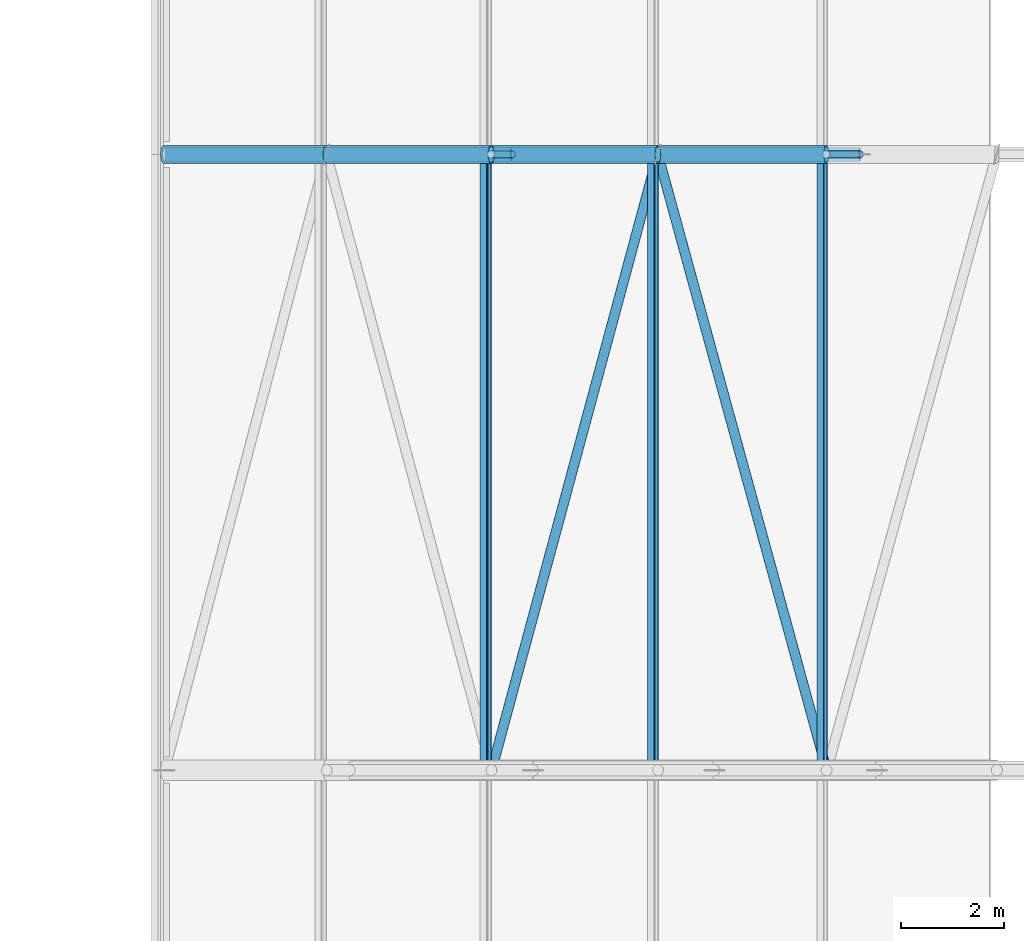
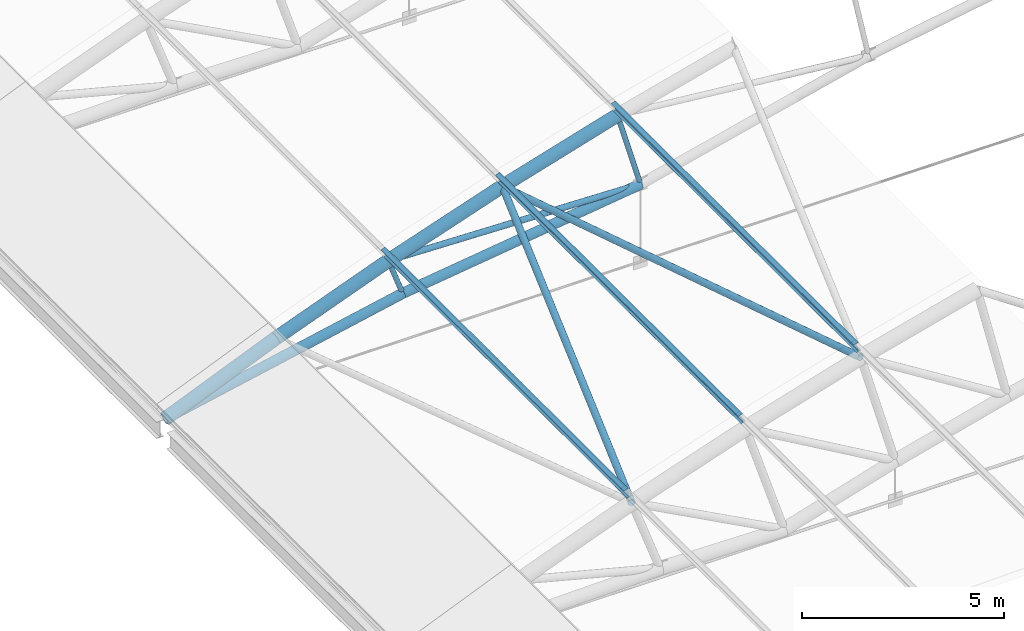
# One storey, part 150 of 321: 14 members.
"""IFC4 building model written with IfcOpenShell, lengths in metres."""

from ifc_helpers import new_model, si_unit, direction, frame, origin, origin_2d, place, context, subcontext, project, spatial, hollow_circle, i_section, extrude, material, material_profile, profile_set, type_object, element, save


model = new_model("IFC4")

# Units and contexts
model_context = context("Model", 3, precision=1e-05, world=origin(), true_north=direction((0.0, 1.0)))
body_context = subcontext(model_context, "Body", "Model", "MODEL_VIEW")
ifc_project = project(units=[si_unit("LENGTHUNIT", "METRE"), si_unit("AREAUNIT", "SQUARE_METRE"), si_unit("VOLUMEUNIT", "CUBIC_METRE"), si_unit("PLANEANGLEUNIT", "RADIAN"), si_unit("MASSUNIT", "GRAM", prefix="KILO")], contexts=[model_context])

# Site, building, storey
site_placement = place(None, origin())
site = spatial("IfcSite", under=ifc_project, at=site_placement, CompositionType="ELEMENT")
building_placement = place(site_placement, origin())
building = spatial("IfcBuilding", under=site, at=building_placement, Name="Ravi Spectrum Wholesale Market", CompositionType="ELEMENT")
storey_placement = place(building_placement, frame((0.0, 0.0, 10.800048828125)))
storey = spatial("IfcBuildingStorey", under=building, at=storey_placement, Name="L02", CompositionType="ELEMENT", Elevation=10.800048828125)

# Members
ifc_material_1 = material(Name="Steel S355", Category="steel")
ifc_material_profile_1 = material_profile(ifc_material_1, hollow_circle(Radius=0.06982421875, WallThickness=0.0048828125, at=origin_2d()))
ifc_profile_set_1 = profile_set([ifc_material_profile_1], Name="Steel S355")
member_type_1 = type_object("IfcMemberType", Name="CHS 139.7x5 post", PredefinedType="POST", material=ifc_profile_set_1)
member_1_placement = place(storey_placement, frame((36.363037109375, 162.0, 2.56494140625), z_axis=(0.338114270461, 0.0, -0.941105063269), x_axis=(0.0, 1.0, 0.0)))
element("IfcMember", 1, at=member_1_placement, inside=storey, type_object=member_type_1, Name="H1-MB-L02-946", PredefinedType="POST", context=body_context, shape_type="SweptSolid", body=[
    extrude(hollow_circle(Radius=0.06982421875, WallThickness=0.0048828125, at=origin_2d()), origin(), (0.0, 0.0, 1.0), 1.199951171875),
])
member_2_placement = place(storey_placement, frame((42.896240234375, 162.0, 4.661376953125), z_axis=(0.272503703517, 0.0, -0.962154733694), x_axis=(0.0, 1.0, 0.0)))
element("IfcMember", 2, at=member_2_placement, inside=storey, type_object=member_type_1, Name="H1-MB-L02-947", PredefinedType="POST", context=body_context, shape_type="SweptSolid", body=[
    extrude(hollow_circle(Radius=0.06982421875, WallThickness=0.0048828125, at=origin_2d()), origin(), (0.0, 0.0, 1.0), 2.400146484375),
])
ifc_material_2 = material(Name="Steel S355", Category="steel")
ifc_material_profile_2 = material_profile(ifc_material_2, hollow_circle(Radius=0.084228515625, WallThickness=0.00634765625, at=origin_2d()))
ifc_profile_set_2 = profile_set([ifc_material_profile_2], Name="Steel S355")
member_type_2 = type_object("IfcMemberType", Name="CHS 168.3x6.3 brace", PredefinedType="BRACE", material=ifc_profile_set_2)
member_3_placement = place(storey_placement, frame((36.363037109375, 162.0, 2.56494140625), z_axis=(0.999561599338, 0.0, -0.029607585673), x_axis=(0.0, 1.0, 0.0)))
element("IfcMember", 3, at=member_3_placement, inside=storey, type_object=member_type_2, Name="H1-MB-L02-957", PredefinedType="BRACE", context=body_context, shape_type="SweptSolid", body=[
    extrude(hollow_circle(Radius=0.084228515625, WallThickness=0.00634765625, at=origin_2d()), origin(), (0.0, 0.0, 1.0), 7.1904296875),
])
ifc_material_3 = material(Name="Steel S355", Category="steel")
ifc_material_profile_3 = material_profile(ifc_material_3, hollow_circle(Radius=0.096923828125, WallThickness=0.00634765625, at=origin_2d()))
ifc_profile_set_3 = profile_set([ifc_material_profile_3], Name="Steel S355")
member_type_3 = type_object("IfcMemberType", Name="CHS 193.7x6.3 brace", PredefinedType="BRACE", material=ifc_profile_set_3)
for number, where, z_axis, x_axis, name in (
    (4, (36.37158203125, 150.0, 2.541015625), (0.259597548591, 0.961475300154, 0.0904121671), (-0.965429280275, 0.260665120006, 0.0), "H1-MB-L02-1682"),
    (5, (39.611572265625, 162.0, 3.66943359375), (0.263726012754, -0.961479081656, 0.077502036978), (0.964379749157, 0.264521642622, 0.0), "H1-MB-L02-1683"),
):
    element("IfcMember", number, at=place(storey_placement, frame(where, z_axis=z_axis, x_axis=x_axis)), inside=storey, type_object=member_type_3, Name=name, PredefinedType="BRACE", context=body_context, shape_type="SweptSolid", body=[
        extrude(hollow_circle(Radius=0.096923828125, WallThickness=0.00634765625, at=origin_2d()), origin(), (0.0, 0.0, 1.0), 12.480712890625),
    ])
ifc_material_4 = material(Name="Steel S355", Category="steel")
ifc_material_profile_4 = material_profile(ifc_material_4, hollow_circle(Radius=0.136474609375, WallThickness=0.010009765625, at=origin_2d()))
ifc_profile_set_4 = profile_set([ifc_material_profile_4], Name="Steel S355")
member_type_4 = type_object("IfcMemberType", Name="CHS 273x10 chord", PredefinedType="CHORD", material=ifc_profile_set_4)
member_4_placement = place(storey_placement, frame((29.98974609375, 162.0, 0.023193359375), z_axis=(0.978978953118, 0.0, 0.203961293758), x_axis=(0.0, 1.0, 0.0)))
element("IfcMember", 6, at=member_4_placement, inside=storey, type_object=member_type_4, Name="H1-MB-L02-934", PredefinedType="CHORD", context=body_context, shape_type="SweptSolid", body=[
    extrude(hollow_circle(Radius=0.136474609375, WallThickness=0.010009765625, at=origin_2d()), origin(), (0.0, 0.0, 1.0), 6.924560546875),
])
member_5_placement = place(storey_placement, frame((36.768798828125, 162.0, 1.435546875), z_axis=(0.990990766788, 0.0, 0.133930206233), x_axis=(0.0, 1.0, 0.0)))
element("IfcMember", 7, at=member_5_placement, inside=storey, type_object=member_type_4, Name="H1-MB-L02-935", PredefinedType="CHORD", context=body_context, shape_type="SweptSolid", body=[
    extrude(hollow_circle(Radius=0.136474609375, WallThickness=0.010009765625, at=origin_2d()), origin(), (0.0, 0.0, 1.0), 6.84326171875),
])
ifc_material_5 = material(Name="Steel S355", Category="steel")
ifc_material_profile_5 = material_profile(ifc_material_5, hollow_circle(Radius=0.177734375, WallThickness=0.012451171875, at=origin_2d()))
ifc_profile_set_5 = profile_set([ifc_material_profile_5], Name="Steel S355")
member_type_5 = type_object("IfcMemberType", Name="CHS 355.6x12.5 chord", PredefinedType="CHORD", material=ifc_profile_set_5)
member_6_placement = place(storey_placement, frame((29.98974609375, 162.0, 0.023193359375), z_axis=(0.922323660423, 0.0, 0.386418251929), x_axis=(0.0, 1.0, 0.0)))
element("IfcMember", 8, at=member_6_placement, inside=storey, type_object=member_type_5, Name="H1-MB-L02-910", PredefinedType="CHORD", context=body_context, shape_type="SweptSolid", body=[
    extrude(hollow_circle(Radius=0.177734375, WallThickness=0.012451171875, at=origin_2d()), origin(), (0.0, 0.0, 1.0), 3.431396484375),
])
for number, where, z_axis, x_axis, name in (
    (9, (33.154541015625, 162.0, 1.34912109375), (0.935113010382, 0.0, 0.354349626518), (0.0, 1.0, 0.0), "H1-MB-L02-911"),
    (10, (36.363037109375, 162.0, 2.56494140625), (0.946773612235, 0.0, 0.321900182005), (0.0, 1.0, 0.0), "H1-MB-L02-912"),
    (11, (39.611572265625, 162.0, 3.66943359375), (0.957299848506, 0.0, 0.289096869666), (0.0, 1.0, 0.0), "H1-MB-L02-913"),
):
    element("IfcMember", number, at=place(storey_placement, frame(where, z_axis=z_axis, x_axis=x_axis)), inside=storey, type_object=member_type_5, Name=name, PredefinedType="CHORD", context=body_context, shape_type="SweptSolid", body=[
        extrude(hollow_circle(Radius=0.177734375, WallThickness=0.012451171875, at=origin_2d()), origin(), (0.0, 0.0, 1.0), 3.43115234375),
    ])
ifc_material_6 = material(Name="Steel S355", Category="steel")
ifc_material_profile_6 = material_profile(ifc_material_6, i_section(OverallWidth=0.135009765625, OverallDepth=0.27001953125, WebThickness=0.006591796875, FlangeThickness=0.01025390625, at=origin_2d()))
ifc_profile_set_6 = profile_set([ifc_material_profile_6], Name="Steel S355")
member_type_6 = type_object("IfcMemberType", Name="IPE 270 purlin", PredefinedType="PURLIN", material=ifc_profile_set_6)
for number, where, z_axis, x_axis, name in (
    (12, (36.25732421875, 150.0, 2.859375), (0.0, 1.0, 0.0), (-0.941079849597, 0.0, -0.338184441811), "H1-MB-L02-1486"),
    (13, (39.515869140625, 150.0, 3.96728515625), (0.0, 1.0, 0.0), (-0.952184497174, 0.0, -0.305523621577), "H1-MB-L02-1487"),
    (14, (42.81103515625, 150.0, 4.962158203125), (0.0, 1.0, 0.0), (-0.96215600485, 0.0, -0.272499215286), "H1-MB-L02-1488"),
):
    element("IfcMember", number, at=place(storey_placement, frame(where, z_axis=z_axis, x_axis=x_axis)), inside=storey, type_object=member_type_6, Name=name, PredefinedType="PURLIN", context=body_context, shape_type="SweptSolid", body=[
        extrude(i_section(OverallWidth=0.135009765625, OverallDepth=0.27001953125, WebThickness=0.006591796875, FlangeThickness=0.01025390625, at=origin_2d()), origin(), (0.0, 0.0, 1.0), 12.0),
    ])

save(model, "model.ifc")
